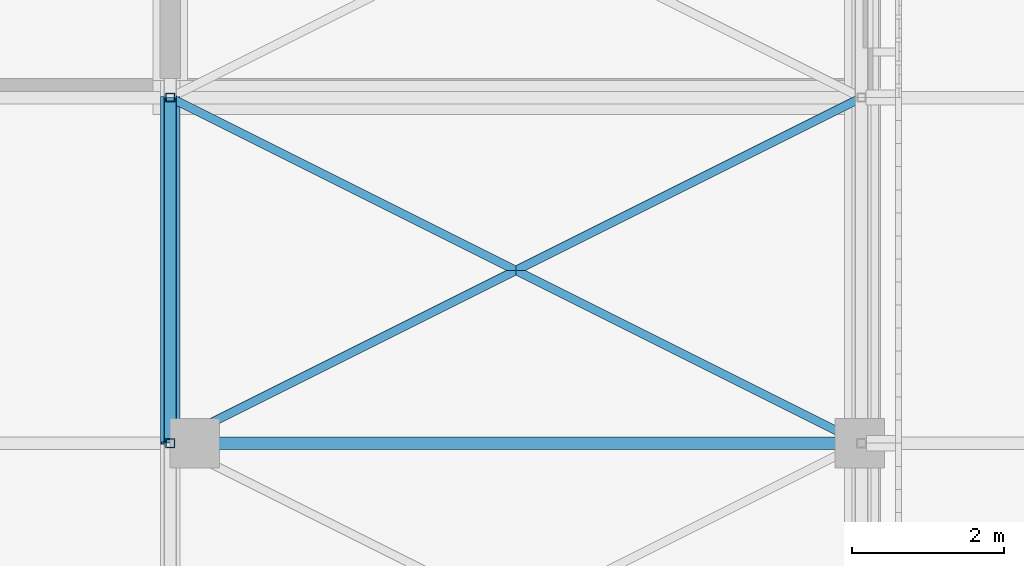
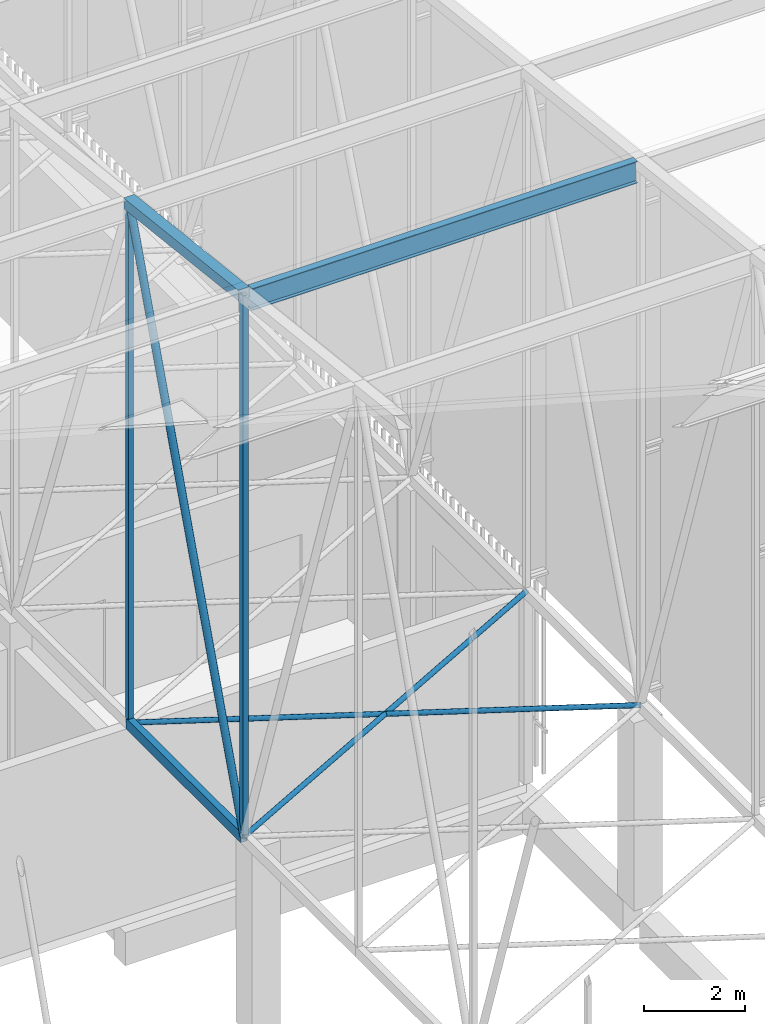
# One storey, part 376 of 500: 8 members.
"""IFC4 building model written with IfcOpenShell, lengths in metres."""

import ifcopenshell
import ifcopenshell.guid

model = None  # the IFC model being written
_history = None  # IfcOwnerHistory: only IFC2X3 demands one
_inside = {}  # id of a spatial element -> (the spatial element, [elements in it])
_under = {}  # id of a project, library or spatial element -> (it, [spatial elements below it])
_declared = {}  # id of a project -> (the project, [libraries it declares])
_typed = {}  # id of a type object -> (the type object, [elements of that type])
_made_of = {}  # id of a material, layer set ... -> (it, [elements and type objects made of it])


def new_model(schema):
    """Start an empty IFC model of exactly this schema.

    Asked for "IFC4X3", IfcOpenShell would pick the latest addendum, in which some entities
    have other attributes; the version numbers below select the first issue.
    IFC2X3 requires an IfcOwnerHistory on every rooted entity: one is made here for all.
    """
    global model, _history
    if schema == "IFC4X3":
        model = ifcopenshell.file(schema_version=(4, 3, 0, 0))
    else:
        model = ifcopenshell.file(schema=schema)
    _inside.clear()
    _under.clear()
    _declared.clear()
    _typed.clear()
    _made_of.clear()
    _history = None
    if model.schema == "IFC2X3":
        org = make("IfcOrganization", Name="unknown")
        user = make(
            "IfcPersonAndOrganization",
            ThePerson=make("IfcPerson", FamilyName="unknown"),
            TheOrganization=org,
        )
        app = make(
            "IfcApplication",
            ApplicationDeveloper=org,
            Version="unknown",
            ApplicationFullName="unknown",
            ApplicationIdentifier="unknown",
        )
        _history = make(
            "IfcOwnerHistory",
            OwningUser=user,
            OwningApplication=app,
            ChangeAction="ADDED",
            CreationDate=0,
        )
    return model


def make(cls, **values):
    """One entity of the class cls with the attributes given. An attribute that is None is left unset."""
    return model.create_entity(
        cls, **{name: value for name, value in values.items() if value is not None}
    )


def rooted(cls, **values):
    """An entity with a GlobalId (a new one), such as an element, a storey or a relation."""
    return make(cls, GlobalId=ifcopenshell.guid.new(), OwnerHistory=_history, **values)


def si_unit(unit_type, name, prefix=None):
    """IfcSIUnit, for example si_unit("LENGTHUNIT", "METRE", prefix="MILLI")."""
    return make("IfcSIUnit", UnitType=unit_type, Prefix=prefix, Name=name)


def assignment(units):
    """IfcUnitAssignment: the units of a project."""
    return None if units is None else make("IfcUnitAssignment", Units=units)


def point(xyz):
    """IfcCartesianPoint."""
    return None if xyz is None else make("IfcCartesianPoint", Coordinates=xyz)


def direction(xyz):
    """IfcDirection."""
    return None if xyz is None else make("IfcDirection", DirectionRatios=xyz)


def frame(location, z_axis=None, x_axis=None):
    """IfcAxis2Placement3D, a coordinate frame: its origin and axes. An axis left out is left unset."""
    return make(
        "IfcAxis2Placement3D",
        Location=point(location),
        Axis=direction(z_axis),
        RefDirection=direction(x_axis),
    )


def frame_2d(location, x_axis=None):
    """IfcAxis2Placement2D, a coordinate frame in the plane: its origin and x axis."""
    return make(
        "IfcAxis2Placement2D", Location=point(location), RefDirection=direction(x_axis)
    )


def origin():
    """The frame at (0, 0, 0) with its axes left unset."""
    return frame((0.0, 0.0, 0.0))


def origin_2d():
    """The frame at (0, 0) in the plane with its x axis left unset."""
    return frame_2d((0.0, 0.0))


def place(relative_to, where):
    """IfcLocalPlacement: puts the frame where relative to a parent placement (None: the world)."""
    return make(
        "IfcLocalPlacement", PlacementRelTo=relative_to, RelativePlacement=where
    )


def context(
    kind, dimensions, precision=None, world=None, true_north=None, identifier=None
):
    """IfcGeometricRepresentationContext, for example the 3D "Model" context."""
    return make(
        "IfcGeometricRepresentationContext",
        ContextIdentifier=identifier,
        ContextType=kind,
        CoordinateSpaceDimension=dimensions,
        Precision=precision,
        WorldCoordinateSystem=world,
        TrueNorth=true_north,
    )


def subcontext(parent, identifier, kind, view, scale=None):
    """IfcGeometricRepresentationSubContext, for example "Body" below "Model"."""
    return make(
        "IfcGeometricRepresentationSubContext",
        ContextIdentifier=identifier,
        ContextType=kind,
        ParentContext=parent,
        TargetScale=scale,
        TargetView=view,
    )


def project(units=None, contexts=None):
    """IfcProject with its units and contexts."""
    return rooted(
        "IfcProject",
        Name="project",
        RepresentationContexts=contexts,
        UnitsInContext=assignment(units),
    )


def spatial(cls, under=None, at=None, **own):
    """A site, building, storey or space (cls), placed at a placement, below another one or the project."""
    s = rooted(cls, ObjectPlacement=at, **own)
    if under is not None:
        _under.setdefault(under.id(), (under, []))[1].append(s)
    return s


def profile(cls, at=None, kind="AREA", **sizes):
    """A parametric profile (cls). Its sizes go by their IFC names, for example OverallWidth=200.0."""
    return make(cls, ProfileType=kind, Position=at, **sizes)


def hollow_rectangle(**sizes):
    """IfcRectangleHollowProfileDef."""
    return profile("IfcRectangleHollowProfileDef", **sizes)


def hollow_circle(**sizes):
    """IfcCircleHollowProfileDef."""
    return profile("IfcCircleHollowProfileDef", **sizes)


def i_section(**sizes):
    """IfcIShapeProfileDef."""
    return profile("IfcIShapeProfileDef", **sizes)


def extrude(swept, where, along, depth):
    """IfcExtrudedAreaSolid: the profile swept, set in the frame where, extruded along a direction by depth."""
    return make(
        "IfcExtrudedAreaSolid",
        SweptArea=swept,
        Position=where,
        ExtrudedDirection=direction(along),
        Depth=depth,
    )


def shape(context_of_items, identifier, shape_type, items):
    """IfcShapeRepresentation: the items that make up one representation, for example the "Body"."""
    return make(
        "IfcShapeRepresentation",
        ContextOfItems=context_of_items,
        RepresentationIdentifier=identifier,
        RepresentationType=shape_type,
        Items=items,
    )


def material(Name=None, Category=None):
    """IfcMaterial."""
    return make("IfcMaterial", Name=Name, Category=Category)


def material_profile(
    of_material, cross_section, Name=None, Category=None, Priority=None
):
    """IfcMaterialProfile: a cross section and its material."""
    return make(
        "IfcMaterialProfile",
        Name=Name,
        Material=of_material,
        Profile=cross_section,
        Priority=Priority,
        Category=Category,
    )


def profile_set(profiles, Name=None, composite=None):
    """IfcMaterialProfileSet."""
    return make(
        "IfcMaterialProfileSet",
        Name=Name,
        MaterialProfiles=profiles,
        CompositeProfile=composite,
    )


def made_of(thing, what):
    """Note that an element or type object is made of a material, layer set ...; save() writes the relation."""
    if what is not None:
        _made_of.setdefault(what.id(), (what, []))[1].append(thing)
    return thing


def type_object(cls, material=None, **own):
    """A type object (cls), such as IfcWallType, which elements share."""
    return made_of(rooted(cls, **own), material)


def element(
    cls,
    number,
    at=None,
    inside=None,
    cuts=None,
    type_object=None,
    material=None,
    context=None,
    identifier="Body",
    shape_type=None,
    held_by="IfcProductDefinitionShape",
    body=None,
    shapes=None,
    **own,
):
    """One element of the class cls, such as IfcWall. Its Tag is "e" and its number.

    at: its placement. inside: the storey or other place that contains it. cuts: it is an
    opening in that element (IfcRelVoidsElement). A single representation is given by context,
    identifier, shape_type and body (its items); several are given by shapes. held_by: the class
    of the entity that holds the representations. save() writes the other relations.
    """
    e = rooted(cls, Tag="e%d" % number, ObjectPlacement=at, **own)
    if body is not None:
        shapes = [shape(context, identifier, shape_type, body)]
    if shapes is not None:
        e.Representation = make(held_by, Representations=shapes)
    if inside is not None:
        _inside.setdefault(inside.id(), (inside, []))[1].append(e)
    if cuts is not None:
        rooted(
            "IfcRelVoidsElement", RelatingBuildingElement=cuts, RelatedOpeningElement=e
        )
    if type_object is not None:
        _typed.setdefault(type_object.id(), (type_object, []))[1].append(e)
    return made_of(e, material)


def aggregate(whole, parts):
    """IfcRelAggregates: a whole, such as a stair, and the parts it consists of."""
    return rooted("IfcRelAggregates", RelatingObject=whole, RelatedObjects=parts)


def save(model, path):
    """Write the relations noted so far, then the file.

    IfcRelAggregates (storeys below a building ...), IfcRelContainedInSpatialStructure (elements
    in a storey), IfcRelDefinesByType, IfcRelAssociatesMaterial and IfcRelDeclares: one each for
    every whole, place, type object, material and project.
    """
    for whole, parts in _under.values():
        aggregate(whole, parts)
    for where, things in _inside.values():
        rooted(
            "IfcRelContainedInSpatialStructure",
            RelatedElements=things,
            RelatingStructure=where,
        )
    for kind, things in _typed.values():
        rooted("IfcRelDefinesByType", RelatedObjects=things, RelatingType=kind)
    for what, things in _made_of.values():
        rooted("IfcRelAssociatesMaterial", RelatedObjects=things, RelatingMaterial=what)
    for by, libraries in _declared.values():
        rooted("IfcRelDeclares", RelatingContext=by, RelatedDefinitions=libraries)
    model.write(path)


model = new_model("IFC4")

# Units and contexts
model_context = context("Model", 3, precision=1e-05, world=origin(), true_north=direction((0.0, 1.0)))
body_context = subcontext(model_context, "Body", "Model", "MODEL_VIEW")
ifc_project = project(units=[si_unit("LENGTHUNIT", "METRE"), si_unit("AREAUNIT", "SQUARE_METRE"), si_unit("VOLUMEUNIT", "CUBIC_METRE"), si_unit("PLANEANGLEUNIT", "RADIAN"), si_unit("MASSUNIT", "GRAM", prefix="KILO")], contexts=[model_context])

# Site, building, storey
site_placement = place(None, origin())
site = spatial("IfcSite", under=ifc_project, at=site_placement, CompositionType="ELEMENT")
building_placement = place(site_placement, origin())
building = spatial("IfcBuilding", under=site, at=building_placement, Name="Shirokan Park Arena", CompositionType="ELEMENT")
storey_placement = place(building_placement, frame((0.0, 0.0, 29.1201171875)))
storey = spatial("IfcBuildingStorey", under=building, at=storey_placement, Name="L06", CompositionType="ELEMENT", Elevation=29.1201171875)

# Members
ifc_material_1 = material(Name="Steel ASTM A500 Grade C", Category="steel")
ifc_material_profile_1 = material_profile(ifc_material_1, hollow_rectangle(XDim=0.152099609375, YDim=0.25390625, WallThickness=0.009521484375, at=origin_2d()), Name="HSS254X152.4X9.5")
ifc_profile_set_1 = profile_set([ifc_material_profile_1], Name="Steel ASTM A500 Grade C")
member_type_1 = type_object("IfcMemberType", Name="Bottom chord HSS254X152.4X9.5", PredefinedType="CHORD", material=ifc_profile_set_1)
member_1_placement = place(storey_placement, frame((136.5, 63.699951171875, 4.677001953125), z_axis=(0.0, 1.0, 0.0), x_axis=(-1.0, 0.0, 0.0)))
element("IfcMember", 1, at=member_1_placement, inside=storey, type_object=member_type_1, Name="Truss T16 bottom chord 17", PredefinedType="CHORD", context=body_context, shape_type="SweptSolid", body=[
    extrude(hollow_rectangle(XDim=0.152099609375, YDim=0.25390625, WallThickness=0.009521484375, at=origin_2d()), origin(), (0.0, 0.0, 1.0), 4.550048828125),
])
ifc_material_profile_2 = material_profile(ifc_material_1, hollow_circle(Radius=0.056884765625, WallThickness=0.006103515625, at=origin_2d()), Name="HSS114.3X6")
ifc_profile_set_2 = profile_set([ifc_material_profile_2], Name="Steel ASTM A500 Grade C")
member_type_2 = type_object("IfcMemberType", Name="Plan bracing HSS114.3X6", PredefinedType="BRACE", material=ifc_profile_set_2)
for number, where, z_axis, x_axis, name in (
    (2, (136.5, 63.699951171875, 4.677001953125), (0.894427191, 0.4472135955, 0.0), (-0.4472135955, 0.894427191, 0.0), "Plan bracing bay 16 panel 17 A"),
    (3, (145.60009765625, 63.699951171875, 4.677001953125), (-0.894427191, 0.4472135955, 0.0), (-0.4472135955, -0.894427191, 0.0), "Plan bracing bay 16 panel 17 B"),
):
    element("IfcMember", number, at=place(storey_placement, frame(where, z_axis=z_axis, x_axis=x_axis)), inside=storey, type_object=member_type_2, Name=name, PredefinedType="BRACE", context=body_context, shape_type="SweptSolid", body=[
        extrude(hollow_circle(Radius=0.056884765625, WallThickness=0.006103515625, at=origin_2d()), origin(), (0.0, 0.0, 1.0), 10.17431640625),
    ])
ifc_material_2 = material(Name="Steel ASTM A992", Category="steel")
ifc_material_profile_3 = material_profile(ifc_material_2, i_section(OverallWidth=0.166015625, OverallDepth=0.528076171875, WebThickness=0.009765625, FlangeThickness=0.013671875, at=origin_2d()), Name="W530X74")
ifc_profile_set_3 = profile_set([ifc_material_profile_3], Name="Steel ASTM A992")
member_type_3 = type_object("IfcMemberType", Name="Purlin W530X74", PredefinedType="PURLIN", material=ifc_profile_set_3)
member_2_placement = place(storey_placement, frame((136.626953125, 63.699951171875, 17.685791015625), z_axis=(1.0, 0.0, 0.0), x_axis=(0.0, 1.0, 0.0)))
element("IfcMember", 4, at=member_2_placement, inside=storey, type_object=member_type_3, Name="Purlin 17 bay 16", PredefinedType="PURLIN", context=body_context, shape_type="SweptSolid", body=[
    extrude(i_section(OverallWidth=0.166015625, OverallDepth=0.528076171875, WebThickness=0.009765625, FlangeThickness=0.013671875, at=origin_2d()), origin(), (0.0, 0.0, 1.0), 8.845947265625),
])
ifc_material_profile_4 = material_profile(ifc_material_1, hollow_rectangle(XDim=0.25390625, YDim=0.25390625, WallThickness=0.009521484375, at=origin_2d()), Name="HSS254X254X9.5")
ifc_profile_set_4 = profile_set([ifc_material_profile_4], Name="Steel ASTM A500 Grade C")
member_type_4 = type_object("IfcMemberType", Name="Top chord HSS254X254X9.5", PredefinedType="CHORD", material=ifc_profile_set_4)
member_3_placement = place(storey_placement, frame((136.5, 63.699951171875, 17.822998046875), z_axis=(0.0, 0.993532328996, -0.113549598152), x_axis=(-1.0, 0.0, 0.0)))
element("IfcMember", 5, at=member_3_placement, inside=storey, type_object=member_type_4, Name="Truss T16 top chord 17", PredefinedType="CHORD", context=body_context, shape_type="SweptSolid", body=[
    extrude(hollow_rectangle(XDim=0.25390625, YDim=0.25390625, WallThickness=0.009521484375, at=origin_2d()), origin(), (0.0, 0.0, 1.0), 4.57958984375),
])
ifc_material_profile_5 = material_profile(ifc_material_1, hollow_circle(Radius=0.083984375, WallThickness=0.009521484375, at=origin_2d()), Name="HSS168.3X9.5")
ifc_profile_set_5 = profile_set([ifc_material_profile_5], Name="Steel ASTM A500 Grade C")
member_type_5 = type_object("IfcMemberType", Name="Truss diagonal HSS168.3X9.5", PredefinedType="BRACE", material=ifc_profile_set_5)
member_4_placement = place(storey_placement, frame((136.5, 63.699951171875, 4.677001953125), z_axis=(0.0, 0.339029292845, 0.940775817394), x_axis=(-1.0, 0.0, 0.0)))
element("IfcMember", 6, at=member_4_placement, inside=storey, type_object=member_type_5, Name="Truss T16 diagonal 17", PredefinedType="BRACE", context=body_context, shape_type="SweptSolid", body=[
    extrude(hollow_circle(Radius=0.083984375, WallThickness=0.009521484375, at=origin_2d()), origin(), (0.0, 0.0, 1.0), 13.4208984375),
])
ifc_material_profile_6 = material_profile(ifc_material_1, hollow_rectangle(XDim=0.114013671875, YDim=0.114013671875, WallThickness=0.00634765625, at=origin_2d()), Name="HSS114.3X114.3X6.4")
ifc_profile_set_6 = profile_set([ifc_material_profile_6], Name="Steel ASTM A500 Grade C")
member_type_6 = type_object("IfcMemberType", Name="Truss post HSS114.3X114.3X6.4", PredefinedType="POST", material=ifc_profile_set_6)
member_5_placement = place(storey_placement, frame((136.5, 68.25, 4.677001953125), z_axis=(0.0, 0.0, 1.0), x_axis=(1.0, 0.0, 0.0)))
element("IfcMember", 7, at=member_5_placement, inside=storey, type_object=member_type_6, Name="Truss T16 post 18", PredefinedType="POST", context=body_context, shape_type="SweptSolid", body=[
    extrude(hollow_rectangle(XDim=0.114013671875, YDim=0.114013671875, WallThickness=0.00634765625, at=origin_2d()), origin(), (0.0, 0.0, 1.0), 12.6259765625),
])
ifc_material_profile_7 = material_profile(ifc_material_1, hollow_rectangle(XDim=0.126953125, YDim=0.126953125, WallThickness=0.0126953125, at=origin_2d()), Name="HSS127X127X12.7")
ifc_profile_set_7 = profile_set([ifc_material_profile_7], Name="Steel ASTM A500 Grade C")
member_type_7 = type_object("IfcMemberType", Name="Truss post HSS127X127X12.7", PredefinedType="POST", material=ifc_profile_set_7)
member_6_placement = place(storey_placement, frame((136.5, 63.699951171875, 4.677001953125), z_axis=(0.0, 0.0, 1.0), x_axis=(1.0, 0.0, 0.0)))
element("IfcMember", 8, at=member_6_placement, inside=storey, type_object=member_type_7, Name="Truss T16 post 17", PredefinedType="POST", context=body_context, shape_type="SweptSolid", body=[
    extrude(hollow_rectangle(XDim=0.126953125, YDim=0.126953125, WallThickness=0.0126953125, at=origin_2d()), origin(), (0.0, 0.0, 1.0), 13.14599609375),
])

save(model, "model.ifc")
